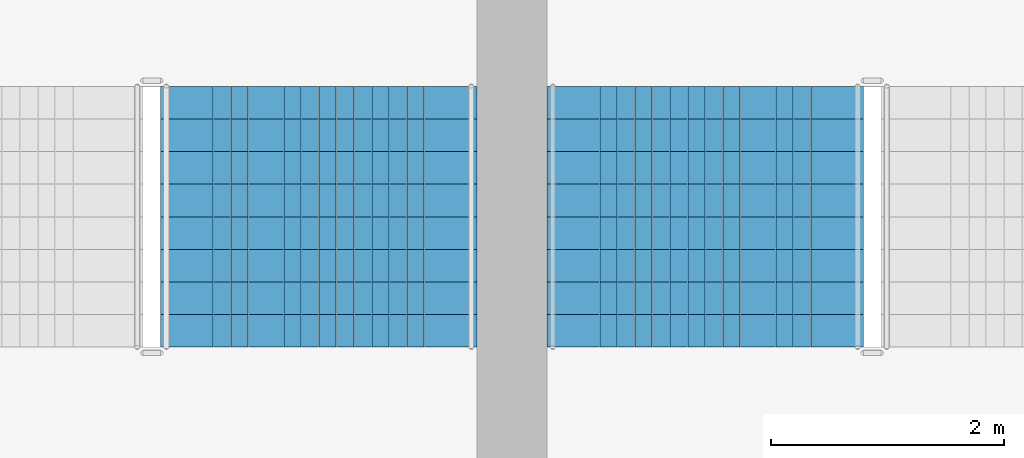
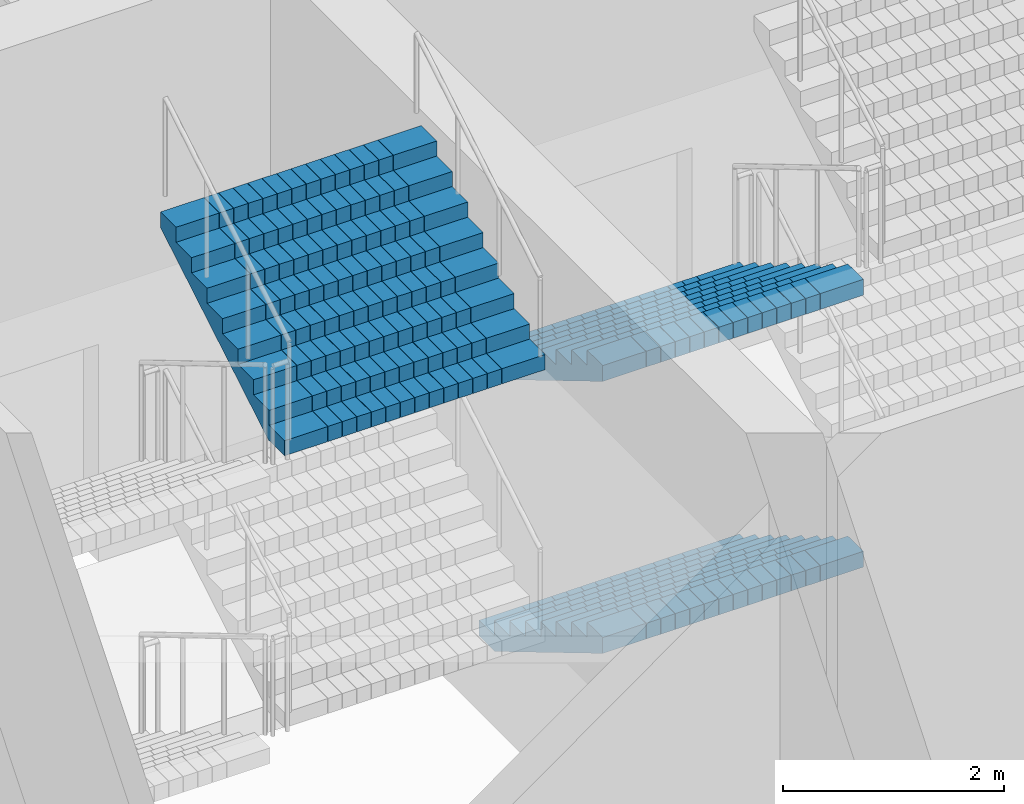
# One storey, part 21 of 43: 3 stair flights, 2 elements without a shape of their own.
"""IFC4 building model written with IfcOpenShell, lengths in metres."""

from ifc_helpers import new_model, si_unit, direction, frame, origin, place, context, subcontext, project, spatial, polyline, outline, extrude, material, type_object, element, aggregate, save


model = new_model("IFC4")

# Units and contexts
model_context = context("Model", 3, precision=1e-05, world=origin(), true_north=direction((0.0, 1.0)))
body_context = subcontext(model_context, "Body", "Model", "MODEL_VIEW")
ifc_project = project(units=[si_unit("LENGTHUNIT", "METRE"), si_unit("AREAUNIT", "SQUARE_METRE"), si_unit("VOLUMEUNIT", "CUBIC_METRE"), si_unit("PLANEANGLEUNIT", "RADIAN"), si_unit("MASSUNIT", "GRAM", prefix="KILO")], contexts=[model_context])

# Site, building, storey
site_placement = place(None, origin())
site = spatial("IfcSite", under=ifc_project, at=site_placement, CompositionType="ELEMENT")
building_placement = place(site_placement, origin())
building = spatial("IfcBuilding", under=site, at=building_placement, Name="Corbelhall Arena Tower", CompositionType="ELEMENT")
storey_placement = place(building_placement, frame((0.0, 0.0, 25.0)))
storey = spatial("IfcBuildingStorey", under=building, at=storey_placement, Name="L03", CompositionType="ELEMENT", Elevation=25.0)

# Stair, stair flights
ifc_material = material(Name="Reinforced concrete C40/50", Category="concrete")
stair_type = type_object("IfcStairType", Name="AR-EXIT-STAIR", PredefinedType="HALF_TURN_STAIR", material=ifc_material)
stair_1_placement = place(storey_placement, origin())
stair_1 = element("IfcStair", 1, at=stair_1_placement, inside=storey, type_object=stair_type, Name="L03 exit stair AS7", PredefinedType="HALF_TURN_STAIR")
stair_flight_type = type_object("IfcStairFlightType", Name="AR-EXIT-FLIGHT", PredefinedType="STRAIGHT", material=ifc_material)
stair_flight_1_placement = place(storey_placement, frame((-38.840087890625, -27.320068359375, 0.0), z_axis=(0.0, 0.0, 1.0), x_axis=(0.0, -1.0, 0.0)))
stair_flight_1 = element("IfcStairFlight", 2, at=stair_flight_1_placement, type_object=stair_flight_type, Name="AS7 flight 1", NumberOfRisers=9, NumberOfTreads=8, PredefinedType="STRAIGHT", RiserHeight=0.166666667, TreadLength=0.28, context=body_context, shape_type="SweptSolid", body=[
    extrude(outline(polyline([(0.0, 0.0), (0.0, 0.166748046875), (0.280029296875, 0.166748046875), (0.280029296875, 0.333251953125), (0.56005859375, 0.333251953125), (0.56005859375, 0.5), (0.840087890625, 0.5), (0.840087890625, 0.666748046875), (1.1201171875, 0.666748046875), (1.1201171875, 0.833251953125), (1.39990234375, 0.833251953125), (1.39990234375, 1.0), (1.679931640625, 1.0), (1.679931640625, 1.166748046875), (1.9599609375, 1.166748046875), (1.9599609375, 1.333251953125), (2.239990234375, 1.333251953125), (2.239990234375, 1.5), (2.239990234375, 1.158935546875), (0.29296875, 0.0), (0.0, 0.0)])), frame((0.0, 1.35986328125, 0.0), z_axis=(0.0, -1.0, 0.0), x_axis=(1.0, 0.0, 0.0)), (0.0, 0.0, 1.0), 0.449951171875),
    extrude(outline(polyline([(0.0, 0.0), (0.0, 0.166748046875), (0.280029296875, 0.166748046875), (0.280029296875, 0.333251953125), (0.56005859375, 0.333251953125), (0.56005859375, 0.5), (0.840087890625, 0.5), (0.840087890625, 0.666748046875), (1.1201171875, 0.666748046875), (1.1201171875, 0.833251953125), (1.39990234375, 0.833251953125), (1.39990234375, 1.0), (1.679931640625, 1.0), (1.679931640625, 1.166748046875), (1.9599609375, 1.166748046875), (1.9599609375, 1.333251953125), (2.239990234375, 1.333251953125), (2.239990234375, 1.5), (2.239990234375, 1.158935546875), (0.29296875, 0.0), (0.0, 0.0)])), frame((0.0, 0.906005859375, 0.0), z_axis=(0.0, -1.0, 0.0), x_axis=(1.0, 0.0, 0.0)), (0.0, 0.0, 1.0), 0.147216796875),
    extrude(outline(polyline([(0.0, 0.0), (0.0, 0.166748046875), (0.280029296875, 0.166748046875), (0.280029296875, 0.333251953125), (0.56005859375, 0.333251953125), (0.56005859375, 0.5), (0.840087890625, 0.5), (0.840087890625, 0.666748046875), (1.1201171875, 0.666748046875), (1.1201171875, 0.833251953125), (1.39990234375, 0.833251953125), (1.39990234375, 1.0), (1.679931640625, 1.0), (1.679931640625, 1.166748046875), (1.9599609375, 1.166748046875), (1.9599609375, 1.333251953125), (2.239990234375, 1.333251953125), (2.239990234375, 1.5), (2.239990234375, 1.158935546875), (0.29296875, 0.0), (0.0, 0.0)])), frame((0.0, 0.754638671875, 0.0), z_axis=(0.0, -1.0, 0.0), x_axis=(1.0, 0.0, 0.0)), (0.0, 0.0, 1.0), 0.147216796875),
    extrude(outline(polyline([(0.0, 0.0), (0.0, 0.166748046875), (0.280029296875, 0.166748046875), (0.280029296875, 0.333251953125), (0.56005859375, 0.333251953125), (0.56005859375, 0.5), (0.840087890625, 0.5), (0.840087890625, 0.666748046875), (1.1201171875, 0.666748046875), (1.1201171875, 0.833251953125), (1.39990234375, 0.833251953125), (1.39990234375, 1.0), (1.679931640625, 1.0), (1.679931640625, 1.166748046875), (1.9599609375, 1.166748046875), (1.9599609375, 1.333251953125), (2.239990234375, 1.333251953125), (2.239990234375, 1.5), (2.239990234375, 1.158935546875), (0.29296875, 0.0), (0.0, 0.0)])), frame((0.0, 0.603271484375, 0.0), z_axis=(0.0, -1.0, 0.0), x_axis=(1.0, 0.0, 0.0)), (0.0, 0.0, 1.0), 0.147216796875),
    extrude(outline(polyline([(0.0, 0.0), (0.0, 0.166748046875), (0.280029296875, 0.166748046875), (0.280029296875, 0.333251953125), (0.56005859375, 0.333251953125), (0.56005859375, 0.5), (0.840087890625, 0.5), (0.840087890625, 0.666748046875), (1.1201171875, 0.666748046875), (1.1201171875, 0.833251953125), (1.39990234375, 0.833251953125), (1.39990234375, 1.0), (1.679931640625, 1.0), (1.679931640625, 1.166748046875), (1.9599609375, 1.166748046875), (1.9599609375, 1.333251953125), (2.239990234375, 1.333251953125), (2.239990234375, 1.5), (2.239990234375, 1.158935546875), (0.29296875, 0.0), (0.0, 0.0)])), frame((0.0, 0.451904296875, 0.0), z_axis=(0.0, -1.0, 0.0), x_axis=(1.0, 0.0, 0.0)), (0.0, 0.0, 1.0), 0.147216796875),
    extrude(outline(polyline([(0.0, 0.0), (0.0, 0.166748046875), (0.280029296875, 0.166748046875), (0.280029296875, 0.333251953125), (0.56005859375, 0.333251953125), (0.56005859375, 0.5), (0.840087890625, 0.5), (0.840087890625, 0.666748046875), (1.1201171875, 0.666748046875), (1.1201171875, 0.833251953125), (1.39990234375, 0.833251953125), (1.39990234375, 1.0), (1.679931640625, 1.0), (1.679931640625, 1.166748046875), (1.9599609375, 1.166748046875), (1.9599609375, 1.333251953125), (2.239990234375, 1.333251953125), (2.239990234375, 1.5), (2.239990234375, 1.158935546875), (0.29296875, 0.0), (0.0, 0.0)])), frame((0.0, 0.30078125, 0.0), z_axis=(0.0, -1.0, 0.0), x_axis=(1.0, 0.0, 0.0)), (0.0, 0.0, 1.0), 0.147216796875),
    extrude(outline(polyline([(0.0, 0.0), (0.0, 0.166748046875), (0.280029296875, 0.166748046875), (0.280029296875, 0.333251953125), (0.56005859375, 0.333251953125), (0.56005859375, 0.5), (0.840087890625, 0.5), (0.840087890625, 0.666748046875), (1.1201171875, 0.666748046875), (1.1201171875, 0.833251953125), (1.39990234375, 0.833251953125), (1.39990234375, 1.0), (1.679931640625, 1.0), (1.679931640625, 1.166748046875), (1.9599609375, 1.166748046875), (1.9599609375, 1.333251953125), (2.239990234375, 1.333251953125), (2.239990234375, 1.5), (2.239990234375, 1.158935546875), (0.29296875, 0.0), (0.0, 0.0)])), frame((0.0, 0.1494140625, 0.0), z_axis=(0.0, -1.0, 0.0), x_axis=(1.0, 0.0, 0.0)), (0.0, 0.0, 1.0), 0.147216796875),
    extrude(outline(polyline([(0.0, 0.0), (0.0, 0.166748046875), (0.280029296875, 0.166748046875), (0.280029296875, 0.333251953125), (0.56005859375, 0.333251953125), (0.56005859375, 0.5), (0.840087890625, 0.5), (0.840087890625, 0.666748046875), (1.1201171875, 0.666748046875), (1.1201171875, 0.833251953125), (1.39990234375, 0.833251953125), (1.39990234375, 1.0), (1.679931640625, 1.0), (1.679931640625, 1.166748046875), (1.9599609375, 1.166748046875), (1.9599609375, 1.333251953125), (2.239990234375, 1.333251953125), (2.239990234375, 1.5), (2.239990234375, 1.158935546875), (0.29296875, 0.0), (0.0, 0.0)])), frame((0.0, -0.001953125, 0.0), z_axis=(0.0, -1.0, 0.0), x_axis=(1.0, 0.0, 0.0)), (0.0, 0.0, 1.0), 0.147216796875),
    extrude(outline(polyline([(0.0, 0.0), (0.0, 0.166748046875), (0.280029296875, 0.166748046875), (0.280029296875, 0.333251953125), (0.56005859375, 0.333251953125), (0.56005859375, 0.5), (0.840087890625, 0.5), (0.840087890625, 0.666748046875), (1.1201171875, 0.666748046875), (1.1201171875, 0.833251953125), (1.39990234375, 0.833251953125), (1.39990234375, 1.0), (1.679931640625, 1.0), (1.679931640625, 1.166748046875), (1.9599609375, 1.166748046875), (1.9599609375, 1.333251953125), (2.239990234375, 1.333251953125), (2.239990234375, 1.5), (2.239990234375, 1.158935546875), (0.29296875, 0.0), (0.0, 0.0)])), frame((0.0, -0.1533203125, 0.0), z_axis=(0.0, -1.0, 0.0), x_axis=(1.0, 0.0, 0.0)), (0.0, 0.0, 1.0), 0.147216796875),
    extrude(outline(polyline([(0.0, 0.0), (0.0, 0.166748046875), (0.280029296875, 0.166748046875), (0.280029296875, 0.333251953125), (0.56005859375, 0.333251953125), (0.56005859375, 0.5), (0.840087890625, 0.5), (0.840087890625, 0.666748046875), (1.1201171875, 0.666748046875), (1.1201171875, 0.833251953125), (1.39990234375, 0.833251953125), (1.39990234375, 1.0), (1.679931640625, 1.0), (1.679931640625, 1.166748046875), (1.9599609375, 1.166748046875), (1.9599609375, 1.333251953125), (2.239990234375, 1.333251953125), (2.239990234375, 1.5), (2.239990234375, 1.158935546875), (0.29296875, 0.0), (0.0, 0.0)])), frame((0.0, -0.3046875, 0.0), z_axis=(0.0, -1.0, 0.0), x_axis=(1.0, 0.0, 0.0)), (0.0, 0.0, 1.0), 0.147216796875),
    extrude(outline(polyline([(0.0, 0.0), (0.0, 0.166748046875), (0.280029296875, 0.166748046875), (0.280029296875, 0.333251953125), (0.56005859375, 0.333251953125), (0.56005859375, 0.5), (0.840087890625, 0.5), (0.840087890625, 0.666748046875), (1.1201171875, 0.666748046875), (1.1201171875, 0.833251953125), (1.39990234375, 0.833251953125), (1.39990234375, 1.0), (1.679931640625, 1.0), (1.679931640625, 1.166748046875), (1.9599609375, 1.166748046875), (1.9599609375, 1.333251953125), (2.239990234375, 1.333251953125), (2.239990234375, 1.5), (2.239990234375, 1.158935546875), (0.29296875, 0.0), (0.0, 0.0)])), frame((0.0, -0.4560546875, 0.0), z_axis=(0.0, -1.0, 0.0), x_axis=(1.0, 0.0, 0.0)), (0.0, 0.0, 1.0), 0.147216796875),
    extrude(outline(polyline([(0.0, 0.0), (0.0, 0.166748046875), (0.280029296875, 0.166748046875), (0.280029296875, 0.333251953125), (0.56005859375, 0.333251953125), (0.56005859375, 0.5), (0.840087890625, 0.5), (0.840087890625, 0.666748046875), (1.1201171875, 0.666748046875), (1.1201171875, 0.833251953125), (1.39990234375, 0.833251953125), (1.39990234375, 1.0), (1.679931640625, 1.0), (1.679931640625, 1.166748046875), (1.9599609375, 1.166748046875), (1.9599609375, 1.333251953125), (2.239990234375, 1.333251953125), (2.239990234375, 1.5), (2.239990234375, 1.158935546875), (0.29296875, 0.0), (0.0, 0.0)])), frame((0.0, -0.607421875, 0.0), z_axis=(0.0, -1.0, 0.0), x_axis=(1.0, 0.0, 0.0)), (0.0, 0.0, 1.0), 0.147216796875),
    extrude(outline(polyline([(0.0, 0.0), (0.0, 0.166748046875), (0.280029296875, 0.166748046875), (0.280029296875, 0.333251953125), (0.56005859375, 0.333251953125), (0.56005859375, 0.5), (0.840087890625, 0.5), (0.840087890625, 0.666748046875), (1.1201171875, 0.666748046875), (1.1201171875, 0.833251953125), (1.39990234375, 0.833251953125), (1.39990234375, 1.0), (1.679931640625, 1.0), (1.679931640625, 1.166748046875), (1.9599609375, 1.166748046875), (1.9599609375, 1.333251953125), (2.239990234375, 1.333251953125), (2.239990234375, 1.5), (2.239990234375, 1.158935546875), (0.29296875, 0.0), (0.0, 0.0)])), frame((0.0, -0.758544921875, 0.0), z_axis=(0.0, -1.0, 0.0), x_axis=(1.0, 0.0, 0.0)), (0.0, 0.0, 1.0), 0.147216796875),
    extrude(outline(polyline([(0.0, 0.0), (0.0, 0.166748046875), (0.280029296875, 0.166748046875), (0.280029296875, 0.333251953125), (0.56005859375, 0.333251953125), (0.56005859375, 0.5), (0.840087890625, 0.5), (0.840087890625, 0.666748046875), (1.1201171875, 0.666748046875), (1.1201171875, 0.833251953125), (1.39990234375, 0.833251953125), (1.39990234375, 1.0), (1.679931640625, 1.0), (1.679931640625, 1.166748046875), (1.9599609375, 1.166748046875), (1.9599609375, 1.333251953125), (2.239990234375, 1.333251953125), (2.239990234375, 1.5), (2.239990234375, 1.158935546875), (0.29296875, 0.0), (0.0, 0.0)])), frame((0.0, -0.909912109375, 0.0), z_axis=(0.0, -1.0, 0.0), x_axis=(1.0, 0.0, 0.0)), (0.0, 0.0, 1.0), 0.449951171875),
])
stair_flight_2_placement = place(storey_placement, frame((-38.840087890625, -27.320068359375, 3.0), z_axis=(0.0, 0.0, 1.0), x_axis=(0.0, -1.0, 0.0)))
stair_flight_2 = element("IfcStairFlight", 3, at=stair_flight_2_placement, type_object=stair_flight_type, Name="AS7 flight 3", NumberOfRisers=9, NumberOfTreads=8, PredefinedType="STRAIGHT", RiserHeight=0.166666667, TreadLength=0.28, context=body_context, shape_type="SweptSolid", body=[
    extrude(outline(polyline([(0.0, 0.0), (0.0, 0.166748046875), (0.280029296875, 0.166748046875), (0.280029296875, 0.333251953125), (0.56005859375, 0.333251953125), (0.56005859375, 0.5), (0.840087890625, 0.5), (0.840087890625, 0.666748046875), (1.1201171875, 0.666748046875), (1.1201171875, 0.833251953125), (1.39990234375, 0.833251953125), (1.39990234375, 1.0), (1.679931640625, 1.0), (1.679931640625, 1.166748046875), (1.9599609375, 1.166748046875), (1.9599609375, 1.333251953125), (2.239990234375, 1.333251953125), (2.239990234375, 1.5), (2.239990234375, 1.158935546875), (0.29296875, 0.0), (0.0, 0.0)])), frame((0.0, 1.35986328125, 0.0), z_axis=(0.0, -1.0, 0.0), x_axis=(1.0, 0.0, 0.0)), (0.0, 0.0, 1.0), 0.449951171875),
    extrude(outline(polyline([(0.0, 0.0), (0.0, 0.166748046875), (0.280029296875, 0.166748046875), (0.280029296875, 0.333251953125), (0.56005859375, 0.333251953125), (0.56005859375, 0.5), (0.840087890625, 0.5), (0.840087890625, 0.666748046875), (1.1201171875, 0.666748046875), (1.1201171875, 0.833251953125), (1.39990234375, 0.833251953125), (1.39990234375, 1.0), (1.679931640625, 1.0), (1.679931640625, 1.166748046875), (1.9599609375, 1.166748046875), (1.9599609375, 1.333251953125), (2.239990234375, 1.333251953125), (2.239990234375, 1.5), (2.239990234375, 1.158935546875), (0.29296875, 0.0), (0.0, 0.0)])), frame((0.0, 0.906005859375, 0.0), z_axis=(0.0, -1.0, 0.0), x_axis=(1.0, 0.0, 0.0)), (0.0, 0.0, 1.0), 0.147216796875),
    extrude(outline(polyline([(0.0, 0.0), (0.0, 0.166748046875), (0.280029296875, 0.166748046875), (0.280029296875, 0.333251953125), (0.56005859375, 0.333251953125), (0.56005859375, 0.5), (0.840087890625, 0.5), (0.840087890625, 0.666748046875), (1.1201171875, 0.666748046875), (1.1201171875, 0.833251953125), (1.39990234375, 0.833251953125), (1.39990234375, 1.0), (1.679931640625, 1.0), (1.679931640625, 1.166748046875), (1.9599609375, 1.166748046875), (1.9599609375, 1.333251953125), (2.239990234375, 1.333251953125), (2.239990234375, 1.5), (2.239990234375, 1.158935546875), (0.29296875, 0.0), (0.0, 0.0)])), frame((0.0, 0.754638671875, 0.0), z_axis=(0.0, -1.0, 0.0), x_axis=(1.0, 0.0, 0.0)), (0.0, 0.0, 1.0), 0.147216796875),
    extrude(outline(polyline([(0.0, 0.0), (0.0, 0.166748046875), (0.280029296875, 0.166748046875), (0.280029296875, 0.333251953125), (0.56005859375, 0.333251953125), (0.56005859375, 0.5), (0.840087890625, 0.5), (0.840087890625, 0.666748046875), (1.1201171875, 0.666748046875), (1.1201171875, 0.833251953125), (1.39990234375, 0.833251953125), (1.39990234375, 1.0), (1.679931640625, 1.0), (1.679931640625, 1.166748046875), (1.9599609375, 1.166748046875), (1.9599609375, 1.333251953125), (2.239990234375, 1.333251953125), (2.239990234375, 1.5), (2.239990234375, 1.158935546875), (0.29296875, 0.0), (0.0, 0.0)])), frame((0.0, 0.603271484375, 0.0), z_axis=(0.0, -1.0, 0.0), x_axis=(1.0, 0.0, 0.0)), (0.0, 0.0, 1.0), 0.147216796875),
    extrude(outline(polyline([(0.0, 0.0), (0.0, 0.166748046875), (0.280029296875, 0.166748046875), (0.280029296875, 0.333251953125), (0.56005859375, 0.333251953125), (0.56005859375, 0.5), (0.840087890625, 0.5), (0.840087890625, 0.666748046875), (1.1201171875, 0.666748046875), (1.1201171875, 0.833251953125), (1.39990234375, 0.833251953125), (1.39990234375, 1.0), (1.679931640625, 1.0), (1.679931640625, 1.166748046875), (1.9599609375, 1.166748046875), (1.9599609375, 1.333251953125), (2.239990234375, 1.333251953125), (2.239990234375, 1.5), (2.239990234375, 1.158935546875), (0.29296875, 0.0), (0.0, 0.0)])), frame((0.0, 0.451904296875, 0.0), z_axis=(0.0, -1.0, 0.0), x_axis=(1.0, 0.0, 0.0)), (0.0, 0.0, 1.0), 0.147216796875),
    extrude(outline(polyline([(0.0, 0.0), (0.0, 0.166748046875), (0.280029296875, 0.166748046875), (0.280029296875, 0.333251953125), (0.56005859375, 0.333251953125), (0.56005859375, 0.5), (0.840087890625, 0.5), (0.840087890625, 0.666748046875), (1.1201171875, 0.666748046875), (1.1201171875, 0.833251953125), (1.39990234375, 0.833251953125), (1.39990234375, 1.0), (1.679931640625, 1.0), (1.679931640625, 1.166748046875), (1.9599609375, 1.166748046875), (1.9599609375, 1.333251953125), (2.239990234375, 1.333251953125), (2.239990234375, 1.5), (2.239990234375, 1.158935546875), (0.29296875, 0.0), (0.0, 0.0)])), frame((0.0, 0.30078125, 0.0), z_axis=(0.0, -1.0, 0.0), x_axis=(1.0, 0.0, 0.0)), (0.0, 0.0, 1.0), 0.147216796875),
    extrude(outline(polyline([(0.0, 0.0), (0.0, 0.166748046875), (0.280029296875, 0.166748046875), (0.280029296875, 0.333251953125), (0.56005859375, 0.333251953125), (0.56005859375, 0.5), (0.840087890625, 0.5), (0.840087890625, 0.666748046875), (1.1201171875, 0.666748046875), (1.1201171875, 0.833251953125), (1.39990234375, 0.833251953125), (1.39990234375, 1.0), (1.679931640625, 1.0), (1.679931640625, 1.166748046875), (1.9599609375, 1.166748046875), (1.9599609375, 1.333251953125), (2.239990234375, 1.333251953125), (2.239990234375, 1.5), (2.239990234375, 1.158935546875), (0.29296875, 0.0), (0.0, 0.0)])), frame((0.0, 0.1494140625, 0.0), z_axis=(0.0, -1.0, 0.0), x_axis=(1.0, 0.0, 0.0)), (0.0, 0.0, 1.0), 0.147216796875),
    extrude(outline(polyline([(0.0, 0.0), (0.0, 0.166748046875), (0.280029296875, 0.166748046875), (0.280029296875, 0.333251953125), (0.56005859375, 0.333251953125), (0.56005859375, 0.5), (0.840087890625, 0.5), (0.840087890625, 0.666748046875), (1.1201171875, 0.666748046875), (1.1201171875, 0.833251953125), (1.39990234375, 0.833251953125), (1.39990234375, 1.0), (1.679931640625, 1.0), (1.679931640625, 1.166748046875), (1.9599609375, 1.166748046875), (1.9599609375, 1.333251953125), (2.239990234375, 1.333251953125), (2.239990234375, 1.5), (2.239990234375, 1.158935546875), (0.29296875, 0.0), (0.0, 0.0)])), frame((0.0, -0.001953125, 0.0), z_axis=(0.0, -1.0, 0.0), x_axis=(1.0, 0.0, 0.0)), (0.0, 0.0, 1.0), 0.147216796875),
    extrude(outline(polyline([(0.0, 0.0), (0.0, 0.166748046875), (0.280029296875, 0.166748046875), (0.280029296875, 0.333251953125), (0.56005859375, 0.333251953125), (0.56005859375, 0.5), (0.840087890625, 0.5), (0.840087890625, 0.666748046875), (1.1201171875, 0.666748046875), (1.1201171875, 0.833251953125), (1.39990234375, 0.833251953125), (1.39990234375, 1.0), (1.679931640625, 1.0), (1.679931640625, 1.166748046875), (1.9599609375, 1.166748046875), (1.9599609375, 1.333251953125), (2.239990234375, 1.333251953125), (2.239990234375, 1.5), (2.239990234375, 1.158935546875), (0.29296875, 0.0), (0.0, 0.0)])), frame((0.0, -0.1533203125, 0.0), z_axis=(0.0, -1.0, 0.0), x_axis=(1.0, 0.0, 0.0)), (0.0, 0.0, 1.0), 0.147216796875),
    extrude(outline(polyline([(0.0, 0.0), (0.0, 0.166748046875), (0.280029296875, 0.166748046875), (0.280029296875, 0.333251953125), (0.56005859375, 0.333251953125), (0.56005859375, 0.5), (0.840087890625, 0.5), (0.840087890625, 0.666748046875), (1.1201171875, 0.666748046875), (1.1201171875, 0.833251953125), (1.39990234375, 0.833251953125), (1.39990234375, 1.0), (1.679931640625, 1.0), (1.679931640625, 1.166748046875), (1.9599609375, 1.166748046875), (1.9599609375, 1.333251953125), (2.239990234375, 1.333251953125), (2.239990234375, 1.5), (2.239990234375, 1.158935546875), (0.29296875, 0.0), (0.0, 0.0)])), frame((0.0, -0.3046875, 0.0), z_axis=(0.0, -1.0, 0.0), x_axis=(1.0, 0.0, 0.0)), (0.0, 0.0, 1.0), 0.147216796875),
    extrude(outline(polyline([(0.0, 0.0), (0.0, 0.166748046875), (0.280029296875, 0.166748046875), (0.280029296875, 0.333251953125), (0.56005859375, 0.333251953125), (0.56005859375, 0.5), (0.840087890625, 0.5), (0.840087890625, 0.666748046875), (1.1201171875, 0.666748046875), (1.1201171875, 0.833251953125), (1.39990234375, 0.833251953125), (1.39990234375, 1.0), (1.679931640625, 1.0), (1.679931640625, 1.166748046875), (1.9599609375, 1.166748046875), (1.9599609375, 1.333251953125), (2.239990234375, 1.333251953125), (2.239990234375, 1.5), (2.239990234375, 1.158935546875), (0.29296875, 0.0), (0.0, 0.0)])), frame((0.0, -0.4560546875, 0.0), z_axis=(0.0, -1.0, 0.0), x_axis=(1.0, 0.0, 0.0)), (0.0, 0.0, 1.0), 0.147216796875),
    extrude(outline(polyline([(0.0, 0.0), (0.0, 0.166748046875), (0.280029296875, 0.166748046875), (0.280029296875, 0.333251953125), (0.56005859375, 0.333251953125), (0.56005859375, 0.5), (0.840087890625, 0.5), (0.840087890625, 0.666748046875), (1.1201171875, 0.666748046875), (1.1201171875, 0.833251953125), (1.39990234375, 0.833251953125), (1.39990234375, 1.0), (1.679931640625, 1.0), (1.679931640625, 1.166748046875), (1.9599609375, 1.166748046875), (1.9599609375, 1.333251953125), (2.239990234375, 1.333251953125), (2.239990234375, 1.5), (2.239990234375, 1.158935546875), (0.29296875, 0.0), (0.0, 0.0)])), frame((0.0, -0.607421875, 0.0), z_axis=(0.0, -1.0, 0.0), x_axis=(1.0, 0.0, 0.0)), (0.0, 0.0, 1.0), 0.147216796875),
    extrude(outline(polyline([(0.0, 0.0), (0.0, 0.166748046875), (0.280029296875, 0.166748046875), (0.280029296875, 0.333251953125), (0.56005859375, 0.333251953125), (0.56005859375, 0.5), (0.840087890625, 0.5), (0.840087890625, 0.666748046875), (1.1201171875, 0.666748046875), (1.1201171875, 0.833251953125), (1.39990234375, 0.833251953125), (1.39990234375, 1.0), (1.679931640625, 1.0), (1.679931640625, 1.166748046875), (1.9599609375, 1.166748046875), (1.9599609375, 1.333251953125), (2.239990234375, 1.333251953125), (2.239990234375, 1.5), (2.239990234375, 1.158935546875), (0.29296875, 0.0), (0.0, 0.0)])), frame((0.0, -0.758544921875, 0.0), z_axis=(0.0, -1.0, 0.0), x_axis=(1.0, 0.0, 0.0)), (0.0, 0.0, 1.0), 0.147216796875),
    extrude(outline(polyline([(0.0, 0.0), (0.0, 0.166748046875), (0.280029296875, 0.166748046875), (0.280029296875, 0.333251953125), (0.56005859375, 0.333251953125), (0.56005859375, 0.5), (0.840087890625, 0.5), (0.840087890625, 0.666748046875), (1.1201171875, 0.666748046875), (1.1201171875, 0.833251953125), (1.39990234375, 0.833251953125), (1.39990234375, 1.0), (1.679931640625, 1.0), (1.679931640625, 1.166748046875), (1.9599609375, 1.166748046875), (1.9599609375, 1.333251953125), (2.239990234375, 1.333251953125), (2.239990234375, 1.5), (2.239990234375, 1.158935546875), (0.29296875, 0.0), (0.0, 0.0)])), frame((0.0, -0.909912109375, 0.0), z_axis=(0.0, -1.0, 0.0), x_axis=(1.0, 0.0, 0.0)), (0.0, 0.0, 1.0), 0.449951171875),
])
aggregate(stair_1, [stair_flight_1, stair_flight_2])

# Stair, stair flight
stair_2_placement = place(storey_placement, origin())
stair_2 = element("IfcStair", 4, at=stair_2_placement, inside=storey, type_object=stair_type, Name="L03 exit stair AS8", PredefinedType="HALF_TURN_STAIR")
stair_flight_3_placement = place(storey_placement, frame((-42.159912109375, -29.56005859375, 4.5), z_axis=(0.0, 0.0, 1.0), x_axis=(0.0, 1.0, 0.0)))
stair_flight_3 = element("IfcStairFlight", 5, at=stair_flight_3_placement, type_object=stair_flight_type, Name="AS8 flight 4", NumberOfRisers=9, NumberOfTreads=8, PredefinedType="STRAIGHT", RiserHeight=0.166666667, TreadLength=0.28, context=body_context, shape_type="SweptSolid", body=[
    extrude(outline(polyline([(0.0, 0.0), (0.0, 0.166748046875), (0.280029296875, 0.166748046875), (0.280029296875, 0.333251953125), (0.56005859375, 0.333251953125), (0.56005859375, 0.5), (0.840087890625, 0.5), (0.840087890625, 0.666748046875), (1.1201171875, 0.666748046875), (1.1201171875, 0.833251953125), (1.39990234375, 0.833251953125), (1.39990234375, 1.0), (1.679931640625, 1.0), (1.679931640625, 1.166748046875), (1.9599609375, 1.166748046875), (1.9599609375, 1.333251953125), (2.239990234375, 1.333251953125), (2.239990234375, 1.5), (2.239990234375, 1.158935546875), (0.29296875, 0.0), (0.0, 0.0)])), frame((0.0, 1.35986328125, 0.0), z_axis=(0.0, -1.0, 0.0), x_axis=(1.0, 0.0, 0.0)), (0.0, 0.0, 1.0), 0.449951171875),
    extrude(outline(polyline([(0.0, 0.0), (0.0, 0.166748046875), (0.280029296875, 0.166748046875), (0.280029296875, 0.333251953125), (0.56005859375, 0.333251953125), (0.56005859375, 0.5), (0.840087890625, 0.5), (0.840087890625, 0.666748046875), (1.1201171875, 0.666748046875), (1.1201171875, 0.833251953125), (1.39990234375, 0.833251953125), (1.39990234375, 1.0), (1.679931640625, 1.0), (1.679931640625, 1.166748046875), (1.9599609375, 1.166748046875), (1.9599609375, 1.333251953125), (2.239990234375, 1.333251953125), (2.239990234375, 1.5), (2.239990234375, 1.158935546875), (0.29296875, 0.0), (0.0, 0.0)])), frame((0.0, 0.906005859375, 0.0), z_axis=(0.0, -1.0, 0.0), x_axis=(1.0, 0.0, 0.0)), (0.0, 0.0, 1.0), 0.147216796875),
    extrude(outline(polyline([(0.0, 0.0), (0.0, 0.166748046875), (0.280029296875, 0.166748046875), (0.280029296875, 0.333251953125), (0.56005859375, 0.333251953125), (0.56005859375, 0.5), (0.840087890625, 0.5), (0.840087890625, 0.666748046875), (1.1201171875, 0.666748046875), (1.1201171875, 0.833251953125), (1.39990234375, 0.833251953125), (1.39990234375, 1.0), (1.679931640625, 1.0), (1.679931640625, 1.166748046875), (1.9599609375, 1.166748046875), (1.9599609375, 1.333251953125), (2.239990234375, 1.333251953125), (2.239990234375, 1.5), (2.239990234375, 1.158935546875), (0.29296875, 0.0), (0.0, 0.0)])), frame((0.0, 0.754638671875, 0.0), z_axis=(0.0, -1.0, 0.0), x_axis=(1.0, 0.0, 0.0)), (0.0, 0.0, 1.0), 0.147216796875),
    extrude(outline(polyline([(0.0, 0.0), (0.0, 0.166748046875), (0.280029296875, 0.166748046875), (0.280029296875, 0.333251953125), (0.56005859375, 0.333251953125), (0.56005859375, 0.5), (0.840087890625, 0.5), (0.840087890625, 0.666748046875), (1.1201171875, 0.666748046875), (1.1201171875, 0.833251953125), (1.39990234375, 0.833251953125), (1.39990234375, 1.0), (1.679931640625, 1.0), (1.679931640625, 1.166748046875), (1.9599609375, 1.166748046875), (1.9599609375, 1.333251953125), (2.239990234375, 1.333251953125), (2.239990234375, 1.5), (2.239990234375, 1.158935546875), (0.29296875, 0.0), (0.0, 0.0)])), frame((0.0, 0.603271484375, 0.0), z_axis=(0.0, -1.0, 0.0), x_axis=(1.0, 0.0, 0.0)), (0.0, 0.0, 1.0), 0.147216796875),
    extrude(outline(polyline([(0.0, 0.0), (0.0, 0.166748046875), (0.280029296875, 0.166748046875), (0.280029296875, 0.333251953125), (0.56005859375, 0.333251953125), (0.56005859375, 0.5), (0.840087890625, 0.5), (0.840087890625, 0.666748046875), (1.1201171875, 0.666748046875), (1.1201171875, 0.833251953125), (1.39990234375, 0.833251953125), (1.39990234375, 1.0), (1.679931640625, 1.0), (1.679931640625, 1.166748046875), (1.9599609375, 1.166748046875), (1.9599609375, 1.333251953125), (2.239990234375, 1.333251953125), (2.239990234375, 1.5), (2.239990234375, 1.158935546875), (0.29296875, 0.0), (0.0, 0.0)])), frame((0.0, 0.451904296875, 0.0), z_axis=(0.0, -1.0, 0.0), x_axis=(1.0, 0.0, 0.0)), (0.0, 0.0, 1.0), 0.147216796875),
    extrude(outline(polyline([(0.0, 0.0), (0.0, 0.166748046875), (0.280029296875, 0.166748046875), (0.280029296875, 0.333251953125), (0.56005859375, 0.333251953125), (0.56005859375, 0.5), (0.840087890625, 0.5), (0.840087890625, 0.666748046875), (1.1201171875, 0.666748046875), (1.1201171875, 0.833251953125), (1.39990234375, 0.833251953125), (1.39990234375, 1.0), (1.679931640625, 1.0), (1.679931640625, 1.166748046875), (1.9599609375, 1.166748046875), (1.9599609375, 1.333251953125), (2.239990234375, 1.333251953125), (2.239990234375, 1.5), (2.239990234375, 1.158935546875), (0.29296875, 0.0), (0.0, 0.0)])), frame((0.0, 0.30078125, 0.0), z_axis=(0.0, -1.0, 0.0), x_axis=(1.0, 0.0, 0.0)), (0.0, 0.0, 1.0), 0.147216796875),
    extrude(outline(polyline([(0.0, 0.0), (0.0, 0.166748046875), (0.280029296875, 0.166748046875), (0.280029296875, 0.333251953125), (0.56005859375, 0.333251953125), (0.56005859375, 0.5), (0.840087890625, 0.5), (0.840087890625, 0.666748046875), (1.1201171875, 0.666748046875), (1.1201171875, 0.833251953125), (1.39990234375, 0.833251953125), (1.39990234375, 1.0), (1.679931640625, 1.0), (1.679931640625, 1.166748046875), (1.9599609375, 1.166748046875), (1.9599609375, 1.333251953125), (2.239990234375, 1.333251953125), (2.239990234375, 1.5), (2.239990234375, 1.158935546875), (0.29296875, 0.0), (0.0, 0.0)])), frame((0.0, 0.1494140625, 0.0), z_axis=(0.0, -1.0, 0.0), x_axis=(1.0, 0.0, 0.0)), (0.0, 0.0, 1.0), 0.147216796875),
    extrude(outline(polyline([(0.0, 0.0), (0.0, 0.166748046875), (0.280029296875, 0.166748046875), (0.280029296875, 0.333251953125), (0.56005859375, 0.333251953125), (0.56005859375, 0.5), (0.840087890625, 0.5), (0.840087890625, 0.666748046875), (1.1201171875, 0.666748046875), (1.1201171875, 0.833251953125), (1.39990234375, 0.833251953125), (1.39990234375, 1.0), (1.679931640625, 1.0), (1.679931640625, 1.166748046875), (1.9599609375, 1.166748046875), (1.9599609375, 1.333251953125), (2.239990234375, 1.333251953125), (2.239990234375, 1.5), (2.239990234375, 1.158935546875), (0.29296875, 0.0), (0.0, 0.0)])), frame((0.0, -0.001953125, 0.0), z_axis=(0.0, -1.0, 0.0), x_axis=(1.0, 0.0, 0.0)), (0.0, 0.0, 1.0), 0.147216796875),
    extrude(outline(polyline([(0.0, 0.0), (0.0, 0.166748046875), (0.280029296875, 0.166748046875), (0.280029296875, 0.333251953125), (0.56005859375, 0.333251953125), (0.56005859375, 0.5), (0.840087890625, 0.5), (0.840087890625, 0.666748046875), (1.1201171875, 0.666748046875), (1.1201171875, 0.833251953125), (1.39990234375, 0.833251953125), (1.39990234375, 1.0), (1.679931640625, 1.0), (1.679931640625, 1.166748046875), (1.9599609375, 1.166748046875), (1.9599609375, 1.333251953125), (2.239990234375, 1.333251953125), (2.239990234375, 1.5), (2.239990234375, 1.158935546875), (0.29296875, 0.0), (0.0, 0.0)])), frame((0.0, -0.1533203125, 0.0), z_axis=(0.0, -1.0, 0.0), x_axis=(1.0, 0.0, 0.0)), (0.0, 0.0, 1.0), 0.147216796875),
    extrude(outline(polyline([(0.0, 0.0), (0.0, 0.166748046875), (0.280029296875, 0.166748046875), (0.280029296875, 0.333251953125), (0.56005859375, 0.333251953125), (0.56005859375, 0.5), (0.840087890625, 0.5), (0.840087890625, 0.666748046875), (1.1201171875, 0.666748046875), (1.1201171875, 0.833251953125), (1.39990234375, 0.833251953125), (1.39990234375, 1.0), (1.679931640625, 1.0), (1.679931640625, 1.166748046875), (1.9599609375, 1.166748046875), (1.9599609375, 1.333251953125), (2.239990234375, 1.333251953125), (2.239990234375, 1.5), (2.239990234375, 1.158935546875), (0.29296875, 0.0), (0.0, 0.0)])), frame((0.0, -0.3046875, 0.0), z_axis=(0.0, -1.0, 0.0), x_axis=(1.0, 0.0, 0.0)), (0.0, 0.0, 1.0), 0.147216796875),
    extrude(outline(polyline([(0.0, 0.0), (0.0, 0.166748046875), (0.280029296875, 0.166748046875), (0.280029296875, 0.333251953125), (0.56005859375, 0.333251953125), (0.56005859375, 0.5), (0.840087890625, 0.5), (0.840087890625, 0.666748046875), (1.1201171875, 0.666748046875), (1.1201171875, 0.833251953125), (1.39990234375, 0.833251953125), (1.39990234375, 1.0), (1.679931640625, 1.0), (1.679931640625, 1.166748046875), (1.9599609375, 1.166748046875), (1.9599609375, 1.333251953125), (2.239990234375, 1.333251953125), (2.239990234375, 1.5), (2.239990234375, 1.158935546875), (0.29296875, 0.0), (0.0, 0.0)])), frame((0.0, -0.4560546875, 0.0), z_axis=(0.0, -1.0, 0.0), x_axis=(1.0, 0.0, 0.0)), (0.0, 0.0, 1.0), 0.147216796875),
    extrude(outline(polyline([(0.0, 0.0), (0.0, 0.166748046875), (0.280029296875, 0.166748046875), (0.280029296875, 0.333251953125), (0.56005859375, 0.333251953125), (0.56005859375, 0.5), (0.840087890625, 0.5), (0.840087890625, 0.666748046875), (1.1201171875, 0.666748046875), (1.1201171875, 0.833251953125), (1.39990234375, 0.833251953125), (1.39990234375, 1.0), (1.679931640625, 1.0), (1.679931640625, 1.166748046875), (1.9599609375, 1.166748046875), (1.9599609375, 1.333251953125), (2.239990234375, 1.333251953125), (2.239990234375, 1.5), (2.239990234375, 1.158935546875), (0.29296875, 0.0), (0.0, 0.0)])), frame((0.0, -0.607421875, 0.0), z_axis=(0.0, -1.0, 0.0), x_axis=(1.0, 0.0, 0.0)), (0.0, 0.0, 1.0), 0.147216796875),
    extrude(outline(polyline([(0.0, 0.0), (0.0, 0.166748046875), (0.280029296875, 0.166748046875), (0.280029296875, 0.333251953125), (0.56005859375, 0.333251953125), (0.56005859375, 0.5), (0.840087890625, 0.5), (0.840087890625, 0.666748046875), (1.1201171875, 0.666748046875), (1.1201171875, 0.833251953125), (1.39990234375, 0.833251953125), (1.39990234375, 1.0), (1.679931640625, 1.0), (1.679931640625, 1.166748046875), (1.9599609375, 1.166748046875), (1.9599609375, 1.333251953125), (2.239990234375, 1.333251953125), (2.239990234375, 1.5), (2.239990234375, 1.158935546875), (0.29296875, 0.0), (0.0, 0.0)])), frame((0.0, -0.758544921875, 0.0), z_axis=(0.0, -1.0, 0.0), x_axis=(1.0, 0.0, 0.0)), (0.0, 0.0, 1.0), 0.147216796875),
    extrude(outline(polyline([(0.0, 0.0), (0.0, 0.166748046875), (0.280029296875, 0.166748046875), (0.280029296875, 0.333251953125), (0.56005859375, 0.333251953125), (0.56005859375, 0.5), (0.840087890625, 0.5), (0.840087890625, 0.666748046875), (1.1201171875, 0.666748046875), (1.1201171875, 0.833251953125), (1.39990234375, 0.833251953125), (1.39990234375, 1.0), (1.679931640625, 1.0), (1.679931640625, 1.166748046875), (1.9599609375, 1.166748046875), (1.9599609375, 1.333251953125), (2.239990234375, 1.333251953125), (2.239990234375, 1.5), (2.239990234375, 1.158935546875), (0.29296875, 0.0), (0.0, 0.0)])), frame((0.0, -0.909912109375, 0.0), z_axis=(0.0, -1.0, 0.0), x_axis=(1.0, 0.0, 0.0)), (0.0, 0.0, 1.0), 0.449951171875),
])
aggregate(stair_2, [stair_flight_3])

save(model, "model.ifc")
